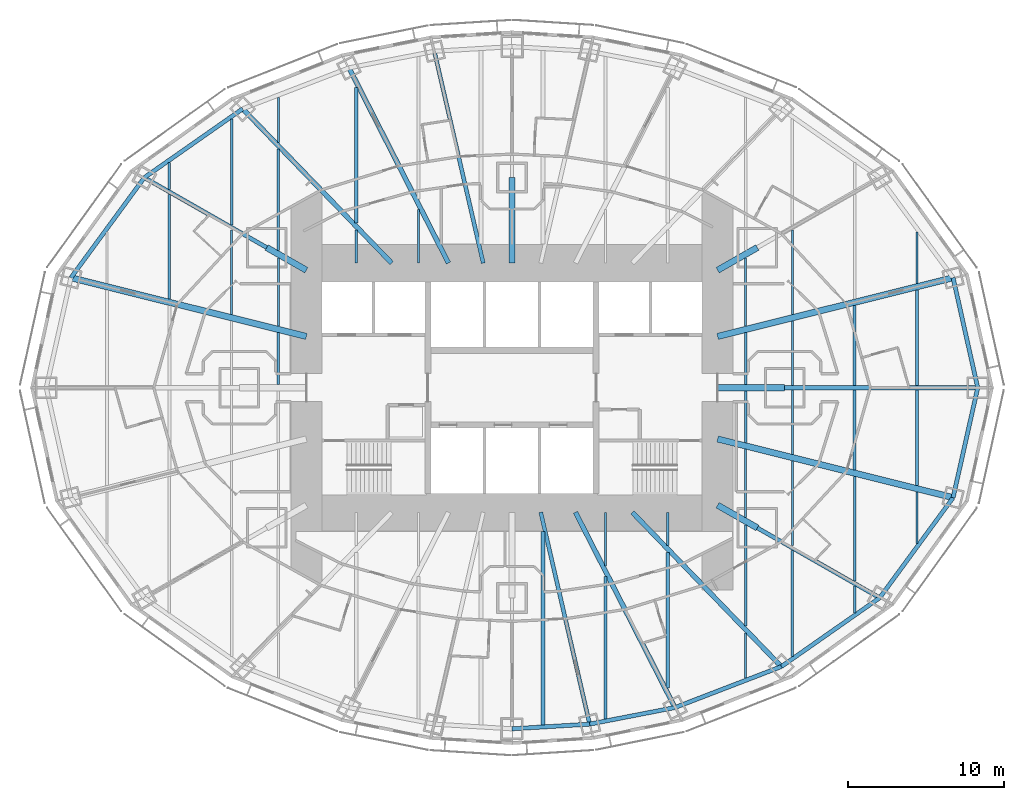
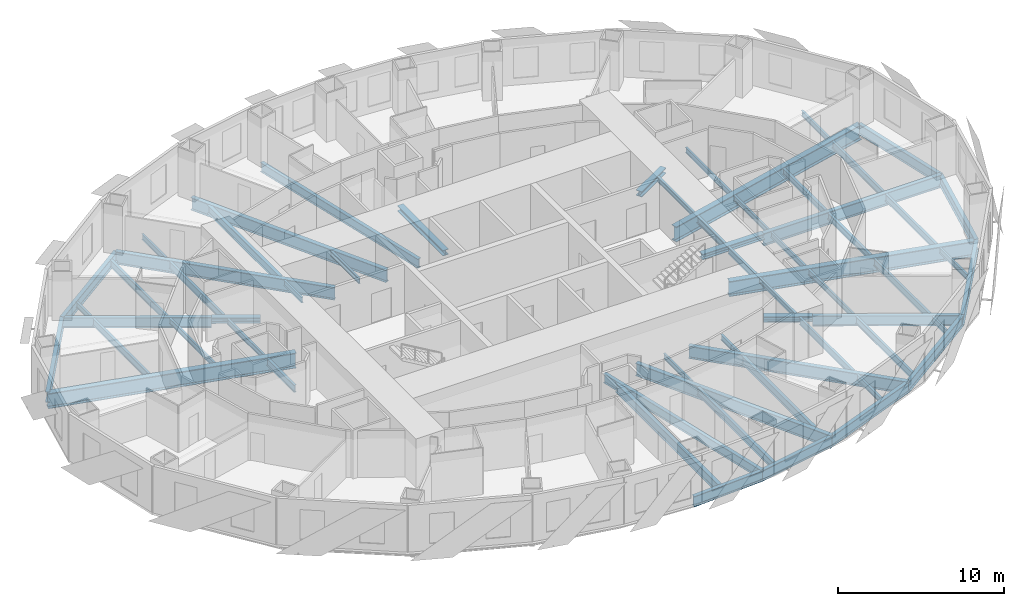
# One storey, part 2 of 15: 61 beams.
"""IFC4 building model written with IfcOpenShell, lengths in metres."""

from ifc_helpers import new_model, si_unit, direction, frame, origin, origin_2d, place, context, subcontext, project, spatial, i_section, extrude, material, material_profile, profile_set, type_object, element, save


model = new_model("IFC4")

# Units and contexts
model_context = context("Model", 3, precision=1e-05, world=origin(), true_north=direction((0.0, 1.0)))
body_context = subcontext(model_context, "Body", "Model", "MODEL_VIEW")
ifc_project = project(units=[si_unit("LENGTHUNIT", "METRE"), si_unit("AREAUNIT", "SQUARE_METRE"), si_unit("VOLUMEUNIT", "CUBIC_METRE"), si_unit("PLANEANGLEUNIT", "RADIAN"), si_unit("MASSUNIT", "GRAM", prefix="KILO")], contexts=[model_context])

# Site, building, storey
site_placement = place(None, origin())
site = spatial("IfcSite", under=ifc_project, at=site_placement, CompositionType="ELEMENT")
building_placement = place(site_placement, origin())
building = spatial("IfcBuilding", under=site, at=building_placement, Name="Lantaw Convention Tower", CompositionType="ELEMENT")
storey_placement = place(building_placement, frame((0.0, 0.0, 94.60009765625)))
storey = spatial("IfcBuildingStorey", under=building, at=storey_placement, Name="L22", CompositionType="ELEMENT", Elevation=94.60009765625)

# Beams
ifc_material = material(Name="Steel ASTM A992", Category="steel")
ifc_material_profile_1 = material_profile(ifc_material, i_section(OverallWidth=0.2666015625, OverallDepth=0.76953125, WebThickness=0.015625, FlangeThickness=0.025390625, FilletRadius=0.0126953125, at=origin_2d()), Name="W30X132")
ifc_profile_set_1 = profile_set([ifc_material_profile_1], Name="Steel ASTM A992")
beam_type_1 = type_object("IfcBeamType", Name="Beam E W30X132", PredefinedType="SPANDREL", material=ifc_profile_set_1)
beam_1_placement = place(storey_placement, frame((29.89990234375, 0.0, -0.534912109375), z_axis=(-0.218652184873, 0.975802860239, 0.0), x_axis=(-0.975802860239, -0.218652184873, 0.0)))
element("IfcBeam", 1, at=beam_1_placement, inside=storey, type_object=beam_type_1, Name="Edge beam 1", PredefinedType="SPANDREL", context=body_context, shape_type="SweptSolid", body=[
    extrude(i_section(OverallWidth=0.2666015625, OverallDepth=0.76953125, WebThickness=0.015625, FlangeThickness=0.025390625, FilletRadius=0.0126953125, at=origin_2d()), origin(), (0.0, 0.0, 1.0), 7.2353515625),
])
beam_2_placement = place(storey_placement, frame((-17.290771484375, 17.9052734375, -0.534912109375), z_axis=(-0.81942686407, -0.57318375277, 0.0), x_axis=(0.57318375277, -0.81942686407, 0.0)))
element("IfcBeam", 2, at=beam_2_placement, inside=storey, type_object=beam_type_1, Name="Edge beam 10", PredefinedType="SPANDREL", context=body_context, shape_type="SweptSolid", body=[
    extrude(i_section(OverallWidth=0.2666015625, OverallDepth=0.76953125, WebThickness=0.015625, FlangeThickness=0.025390625, FilletRadius=0.0126953125, at=origin_2d()), origin(), (0.0, 0.0, 1.0), 7.70556640625),
])
beam_3_placement = place(storey_placement, frame((-23.60498046875, 13.488525390625, -0.534912109375), z_axis=(-0.591270709086, -0.806473154281, 0.0), x_axis=(0.806473154281, -0.591270709086, 0.0)))
element("IfcBeam", 3, at=beam_3_placement, inside=storey, type_object=beam_type_1, Name="Edge beam 11", PredefinedType="SPANDREL", context=body_context, shape_type="SweptSolid", body=[
    extrude(i_section(OverallWidth=0.2666015625, OverallDepth=0.76953125, WebThickness=0.015625, FlangeThickness=0.025390625, FilletRadius=0.0126953125, at=origin_2d()), origin(), (0.0, 0.0, 1.0), 7.970703125),
])
beam_4_placement = place(storey_placement, frame((0.0, -21.89990234375, -0.534912109375), z_axis=(0.998173858406, 0.060406526096, 0.0), x_axis=(-0.060406526096, 0.998173858406, 0.0)))
element("IfcBeam", 4, at=beam_4_placement, inside=storey, type_object=beam_type_1, Name="Edge beam 19", PredefinedType="SPANDREL", context=body_context, shape_type="SweptSolid", body=[
    extrude(i_section(OverallWidth=0.2666015625, OverallDepth=0.76953125, WebThickness=0.015625, FlangeThickness=0.025390625, FilletRadius=0.0126953125, at=origin_2d()), origin(), (0.0, 0.0, 1.0), 4.995361328125),
])
beam_5_placement = place(storey_placement, frame((4.986328125, -21.59814453125, -0.534912109375), z_axis=(0.981636565323, 0.190760723474, 0.0), x_axis=(-0.190760723474, 0.981636565323, 0.0)))
element("IfcBeam", 5, at=beam_5_placement, inside=storey, type_object=beam_type_1, Name="Edge beam 20", PredefinedType="SPANDREL", context=body_context, shape_type="SweptSolid", body=[
    extrude(i_section(OverallWidth=0.2666015625, OverallDepth=0.76953125, WebThickness=0.015625, FlangeThickness=0.025390625, FilletRadius=0.0126953125, at=origin_2d()), origin(), (0.0, 0.0, 1.0), 5.578857421875),
])
beam_6_placement = place(storey_placement, frame((10.462646484375, -20.533935546875, -0.534912109375), z_axis=(0.933232900641, 0.359271976588, 0.0), x_axis=(-0.359271976588, 0.933232900641, 0.0)))
element("IfcBeam", 6, at=beam_6_placement, inside=storey, type_object=beam_type_1, Name="Edge beam 21", PredefinedType="SPANDREL", context=body_context, shape_type="SweptSolid", body=[
    extrude(i_section(OverallWidth=0.2666015625, OverallDepth=0.76953125, WebThickness=0.015625, FlangeThickness=0.025390625, FilletRadius=0.0126953125, at=origin_2d()), origin(), (0.0, 0.0, 1.0), 7.316650390625),
])
beam_7_placement = place(storey_placement, frame((17.290771484375, -17.9052734375, -0.534912109375), z_axis=(0.81942686407, 0.57318375277, 0.0), x_axis=(-0.57318375277, 0.81942686407, 0.0)))
element("IfcBeam", 7, at=beam_7_placement, inside=storey, type_object=beam_type_1, Name="Edge beam 22", PredefinedType="SPANDREL", context=body_context, shape_type="SweptSolid", body=[
    extrude(i_section(OverallWidth=0.2666015625, OverallDepth=0.76953125, WebThickness=0.015625, FlangeThickness=0.025390625, FilletRadius=0.0126953125, at=origin_2d()), origin(), (0.0, 0.0, 1.0), 7.70556640625),
])
beam_8_placement = place(storey_placement, frame((23.60498046875, -13.488525390625, -0.534912109375), z_axis=(0.591270709086, 0.806473154281, 0.0), x_axis=(-0.806473154281, 0.591270709086, 0.0)))
element("IfcBeam", 8, at=beam_8_placement, inside=storey, type_object=beam_type_1, Name="Edge beam 23", PredefinedType="SPANDREL", context=body_context, shape_type="SweptSolid", body=[
    extrude(i_section(OverallWidth=0.2666015625, OverallDepth=0.76953125, WebThickness=0.015625, FlangeThickness=0.025390625, FilletRadius=0.0126953125, at=origin_2d()), origin(), (0.0, 0.0, 1.0), 7.970703125),
])
beam_9_placement = place(storey_placement, frame((28.31787109375, -7.060302734375, -0.534912109375), z_axis=(0.218652184873, 0.975802860239, 0.0), x_axis=(-0.975802860239, 0.218652184873, 0.0)))
element("IfcBeam", 9, at=beam_9_placement, inside=storey, type_object=beam_type_1, Name="Edge beam 24", PredefinedType="SPANDREL", context=body_context, shape_type="SweptSolid", body=[
    extrude(i_section(OverallWidth=0.2666015625, OverallDepth=0.76953125, WebThickness=0.015625, FlangeThickness=0.025390625, FilletRadius=0.0126953125, at=origin_2d()), origin(), (0.0, 0.0, 1.0), 7.2353515625),
])
ifc_material_profile_2 = material_profile(ifc_material, i_section(OverallWidth=0.25390625, OverallDepth=0.683349609375, WebThickness=0.012451171875, FlangeThickness=0.01904296875, FilletRadius=0.01513671875, at=origin_2d()), Name="W27X94")
ifc_profile_set_2 = profile_set([ifc_material_profile_2], Name="Steel ASTM A992")
beam_type_2 = type_object("IfcBeamType", Name="Beam G W27X94", PredefinedType="BEAM", material=ifc_profile_set_2)
for number, where, z_axis, x_axis, name in (
    (10, (-1.846923828125, 8.0, -0.49169921875), (-0.224952773175, 0.97436966796, 0.0), (-0.97436966796, -0.224952773175, 0.0), "Floor girder on ray 8"),
    (11, (1.846923828125, -8.0, -0.49169921875), (0.224952773175, -0.97436966796, 0.0), (0.97436966796, 0.224952773175, 0.0), "Floor girder on ray 20"),
):
    element("IfcBeam", number, at=place(storey_placement, frame(where, z_axis=z_axis, x_axis=x_axis)), inside=storey, type_object=beam_type_2, Name=name, PredefinedType="BEAM", context=body_context, shape_type="SweptSolid", body=[
        extrude(i_section(OverallWidth=0.25390625, OverallDepth=0.683349609375, WebThickness=0.012451171875, FlangeThickness=0.01904296875, FilletRadius=0.01513671875, at=origin_2d()), origin(), (0.0, 0.0, 1.0), 13.955810546875),
    ])
ifc_material_profile_3 = material_profile(ifc_material, i_section(OverallWidth=0.2666015625, OverallDepth=0.7568359375, WebThickness=0.013916015625, FlangeThickness=0.019287109375, FilletRadius=0.0126953125, at=origin_2d()), Name="W30X108")
ifc_profile_set_3 = profile_set([ifc_material_profile_3], Name="Steel ASTM A992")
beam_type_3 = type_object("IfcBeamType", Name="Beam G W30X108", PredefinedType="BEAM", material=ifc_profile_set_3)
for number, where, z_axis, x_axis, name in (
    (12, (-15.75, 9.0, -0.528564453125), (-0.868244802791, 0.496136032179, 0.0), (-0.496136032179, -0.868244802791, 0.0), "Floor girder on ray 11"),
    (13, (15.75, -9.0, -0.528564453125), (0.868244802791, -0.496136032179, 0.0), (0.496136032179, 0.868244802791, 0.0), "Floor girder on ray 23"),
):
    element("IfcBeam", number, at=place(storey_placement, frame(where, z_axis=z_axis, x_axis=x_axis)), inside=storey, type_object=beam_type_3, Name=name, PredefinedType="BEAM", context=body_context, shape_type="SweptSolid", body=[
        extrude(i_section(OverallWidth=0.2666015625, OverallDepth=0.7568359375, WebThickness=0.013916015625, FlangeThickness=0.019287109375, FilletRadius=0.0126953125, at=origin_2d()), origin(), (0.0, 0.0, 1.0), 9.046875),
    ])
ifc_material_profile_4 = material_profile(ifc_material, i_section(OverallWidth=0.307373046875, OverallDepth=0.922119140625, WebThickness=0.018310546875, FlangeThickness=0.030029296875, FilletRadius=0.0126953125, at=origin_2d()), Name="W36X182")
ifc_profile_set_4 = profile_set([ifc_material_profile_4], Name="Steel ASTM A992")
beam_type_4 = type_object("IfcBeamType", Name="Beam G W36X182", PredefinedType="BEAM", material=ifc_profile_set_4)
beam_10_placement = place(storey_placement, frame((17.5, 0.0, -0.611083984375), z_axis=(1.0, 0.0, 0.0), x_axis=(0.0, 1.0, 0.0)))
element("IfcBeam", 14, at=beam_10_placement, inside=storey, type_object=beam_type_4, Name="Floor girder on ray 1", PredefinedType="BEAM", context=body_context, shape_type="SweptSolid", body=[
    extrude(i_section(OverallWidth=0.307373046875, OverallDepth=0.922119140625, WebThickness=0.018310546875, FlangeThickness=0.030029296875, FilletRadius=0.0126953125, at=origin_2d()), origin(), (0.0, 0.0, 1.0), 12.39990234375),
])
beam_11_placement = place(storey_placement, frame((-4.076171875, 8.0, -0.611083984375), z_axis=(-0.453997016122, 0.891003203896, 0.0), x_axis=(-0.891003203896, -0.453997016122, 0.0)))
element("IfcBeam", 15, at=beam_11_placement, inside=storey, type_object=beam_type_4, Name="Floor girder on ray 9", PredefinedType="BEAM", context=body_context, shape_type="SweptSolid", body=[
    extrude(i_section(OverallWidth=0.307373046875, OverallDepth=0.922119140625, WebThickness=0.018310546875, FlangeThickness=0.030029296875, FilletRadius=0.0126953125, at=origin_2d()), origin(), (0.0, 0.0, 1.0), 14.067138671875),
])
beam_12_placement = place(storey_placement, frame((-7.7255859375, 8.0, -0.611083984375), z_axis=(-0.694649884291, 0.719347995239, 0.0), x_axis=(-0.719347995239, -0.694649884291, 0.0)))
element("IfcBeam", 16, at=beam_12_placement, inside=storey, type_object=beam_type_4, Name="Floor girder on ray 10", PredefinedType="BEAM", context=body_context, shape_type="SweptSolid", body=[
    extrude(i_section(OverallWidth=0.307373046875, OverallDepth=0.922119140625, WebThickness=0.018310546875, FlangeThickness=0.030029296875, FilletRadius=0.0126953125, at=origin_2d()), origin(), (0.0, 0.0, 1.0), 13.769775390625),
])
beam_13_placement = place(storey_placement, frame((4.076171875, -8.0, -0.611083984375), z_axis=(0.453997016122, -0.891003203896, 0.0), x_axis=(0.891003203896, 0.453997016122, 0.0)))
element("IfcBeam", 17, at=beam_13_placement, inside=storey, type_object=beam_type_4, Name="Floor girder on ray 21", PredefinedType="BEAM", context=body_context, shape_type="SweptSolid", body=[
    extrude(i_section(OverallWidth=0.307373046875, OverallDepth=0.922119140625, WebThickness=0.018310546875, FlangeThickness=0.030029296875, FilletRadius=0.0126953125, at=origin_2d()), origin(), (0.0, 0.0, 1.0), 14.067138671875),
])
beam_14_placement = place(storey_placement, frame((7.7255859375, -8.0, -0.611083984375), z_axis=(0.694649884291, -0.719347995239, 0.0), x_axis=(0.719347995239, 0.694649884291, 0.0)))
element("IfcBeam", 18, at=beam_14_placement, inside=storey, type_object=beam_type_4, Name="Floor girder on ray 22", PredefinedType="BEAM", context=body_context, shape_type="SweptSolid", body=[
    extrude(i_section(OverallWidth=0.307373046875, OverallDepth=0.922119140625, WebThickness=0.018310546875, FlangeThickness=0.030029296875, FilletRadius=0.0126953125, at=origin_2d()), origin(), (0.0, 0.0, 1.0), 13.769775390625),
])
ifc_material_profile_5 = material_profile(ifc_material, i_section(OverallWidth=0.40380859375, OverallDepth=1.11767578125, WebThickness=0.026123046875, FlangeThickness=0.044921875, FilletRadius=0.02001953125, at=origin_2d()), Name="W44X335")
ifc_profile_set_5 = profile_set([ifc_material_profile_5], Name="Steel ASTM A992")
beam_type_5 = type_object("IfcBeamType", Name="Beam G W44X335", PredefinedType="BEAM", material=ifc_profile_set_5)
for number, where, z_axis, x_axis, name in (
    (19, (13.199951171875, 3.291015625, -0.708984375), (0.970296233567, 0.241919860957, 0.0), (-0.241919860957, 0.970296233567, 0.0), "Floor girder on ray 2"),
    (20, (-13.199951171875, 3.291015625, -0.708984375), (-0.970296233567, 0.241919860957, 0.0), (-0.241919860957, -0.970296233567, 0.0), "Floor girder on ray 12"),
    (21, (13.199951171875, -3.291015625, -0.708984375), (0.970296233567, -0.241919860957, 0.0), (0.241919860957, 0.970296233567, 0.0), "Floor girder on ray 24"),
):
    element("IfcBeam", number, at=place(storey_placement, frame(where, z_axis=z_axis, x_axis=x_axis)), inside=storey, type_object=beam_type_5, Name=name, PredefinedType="BEAM", context=body_context, shape_type="SweptSolid", body=[
        extrude(i_section(OverallWidth=0.40380859375, OverallDepth=1.11767578125, WebThickness=0.026123046875, FlangeThickness=0.044921875, FilletRadius=0.02001953125, at=origin_2d()), origin(), (0.0, 0.0, 1.0), 15.580810546875),
    ])
ifc_material_profile_6 = material_profile(ifc_material, i_section(OverallWidth=0.40380859375, OverallDepth=0.406494140625, WebThickness=0.027099609375, FlangeThickness=0.043701171875, FilletRadius=0.01513671875, at=origin_2d()), Name="W14X233")
ifc_profile_set_6 = profile_set([ifc_material_profile_6], Name="Steel ASTM A992")
beam_type_6 = type_object("IfcBeamType", Name="Beam GM W14X233", PredefinedType="BEAM", material=ifc_profile_set_6)
beam_15_placement = place(storey_placement, frame((13.199951171875, 0.0, -0.353271484375), z_axis=(1.0, 0.0, 0.0), x_axis=(0.0, 1.0, 0.0)))
element("IfcBeam", 22, at=beam_15_placement, inside=storey, type_object=beam_type_6, Name="Core link beam on ray 1", PredefinedType="BEAM", context=body_context, shape_type="SweptSolid", body=[
    extrude(i_section(OverallWidth=0.40380859375, OverallDepth=0.406494140625, WebThickness=0.027099609375, FlangeThickness=0.043701171875, FilletRadius=0.01513671875, at=origin_2d()), origin(), (0.0, 0.0, 1.0), 4.300048828125),
])
beam_16_placement = place(storey_placement, frame((13.199951171875, 7.54296875, -0.353271484375), z_axis=(0.868263603466, 0.496103129295, 0.0), x_axis=(-0.496103129295, 0.868263603466, 0.0)))
element("IfcBeam", 23, at=beam_16_placement, inside=storey, type_object=beam_type_6, Name="Core link beam on ray 3", PredefinedType="BEAM", context=body_context, shape_type="SweptSolid", body=[
    extrude(i_section(OverallWidth=0.40380859375, OverallDepth=0.406494140625, WebThickness=0.027099609375, FlangeThickness=0.043701171875, FilletRadius=0.01513671875, at=origin_2d()), origin(), (0.0, 0.0, 1.0), 2.93701171875),
])
beam_17_placement = place(storey_placement, frame((0.0, 8.0, -0.353271484375), z_axis=(0.0, 1.0, 0.0), x_axis=(-1.0, 0.0, 0.0)))
element("IfcBeam", 24, at=beam_17_placement, inside=storey, type_object=beam_type_6, Name="Core link beam on ray 7", PredefinedType="BEAM", context=body_context, shape_type="SweptSolid", body=[
    extrude(i_section(OverallWidth=0.40380859375, OverallDepth=0.406494140625, WebThickness=0.027099609375, FlangeThickness=0.043701171875, FilletRadius=0.01513671875, at=origin_2d()), origin(), (0.0, 0.0, 1.0), 5.5),
])
for number, where, z_axis, x_axis, name in (
    (25, (-13.199951171875, 7.54296875, -0.353271484375), (-0.868263603466, 0.496103129295, 0.0), (-0.496103129295, -0.868263603466, 0.0), "Core link beam on ray 11"),
    (26, (13.199951171875, -7.54296875, -0.353271484375), (0.868263603466, -0.496103129295, 0.0), (0.496103129295, 0.868263603466, 0.0), "Core link beam on ray 23"),
):
    element("IfcBeam", number, at=place(storey_placement, frame(where, z_axis=z_axis, x_axis=x_axis)), inside=storey, type_object=beam_type_6, Name=name, PredefinedType="BEAM", context=body_context, shape_type="SweptSolid", body=[
        extrude(i_section(OverallWidth=0.40380859375, OverallDepth=0.406494140625, WebThickness=0.027099609375, FlangeThickness=0.043701171875, FilletRadius=0.01513671875, at=origin_2d()), origin(), (0.0, 0.0, 1.0), 2.93701171875),
    ])
ifc_material_profile_7 = material_profile(ifc_material, i_section(OverallWidth=0.140380859375, OverallDepth=0.40380859375, WebThickness=0.007080078125, FlangeThickness=0.01123046875, FilletRadius=0.01025390625, at=origin_2d()), Name="W16X31")
ifc_profile_set_7 = profile_set([ifc_material_profile_7], Name="Steel ASTM A992")
beam_type_7 = type_object("IfcBeamType", Name="Beam J W16X31", PredefinedType="JOIST", material=ifc_profile_set_7)
beam_18_placement = place(storey_placement, frame((-22.0, 12.72509765625, -0.35205078125), z_axis=(0.0, 1.0, 0.0), x_axis=(-1.0, 0.0, 0.0)))
element("IfcBeam", 27, at=beam_18_placement, inside=storey, type_object=beam_type_7, Name="Floor joist", PredefinedType="JOIST", context=body_context, shape_type="SweptSolid", body=[
    extrude(i_section(OverallWidth=0.140380859375, OverallDepth=0.40380859375, WebThickness=0.007080078125, FlangeThickness=0.01123046875, FilletRadius=0.01025390625, at=origin_2d()), origin(), (0.0, 0.0, 1.0), 1.723388671875),
])
beam_19_placement = place(storey_placement, frame((-18.0, 4.696044921875, -0.35205078125), z_axis=(0.0, 1.0, 0.0), x_axis=(-1.0, 0.0, 0.0)))
element("IfcBeam", 28, at=beam_19_placement, inside=storey, type_object=beam_type_7, Name="Floor joist", PredefinedType="JOIST", context=body_context, shape_type="SweptSolid", body=[
    extrude(i_section(OverallWidth=0.140380859375, OverallDepth=0.40380859375, WebThickness=0.007080078125, FlangeThickness=0.01123046875, FilletRadius=0.01025390625, at=origin_2d()), origin(), (0.0, 0.0, 1.0), 5.43603515625),
])
beam_20_placement = place(storey_placement, frame((-15.0, 3.947998046875, -0.35205078125), z_axis=(0.0, 1.0, 0.0), x_axis=(-1.0, 0.0, 0.0)))
element("IfcBeam", 29, at=beam_20_placement, inside=storey, type_object=beam_type_7, Name="Floor joist", PredefinedType="JOIST", context=body_context, shape_type="SweptSolid", body=[
    extrude(i_section(OverallWidth=0.140380859375, OverallDepth=0.40380859375, WebThickness=0.007080078125, FlangeThickness=0.01123046875, FilletRadius=0.01025390625, at=origin_2d()), origin(), (0.0, 0.0, 1.0), 4.390869140625),
])
beam_21_placement = place(storey_placement, frame((-15.0, 15.754150390625, -0.35205078125), z_axis=(0.0, 1.0, 0.0), x_axis=(-1.0, 0.0, 0.0)))
element("IfcBeam", 30, at=beam_21_placement, inside=storey, type_object=beam_type_7, Name="Floor joist", PredefinedType="JOIST", context=body_context, shape_type="SweptSolid", body=[
    extrude(i_section(OverallWidth=0.140380859375, OverallDepth=0.40380859375, WebThickness=0.007080078125, FlangeThickness=0.01123046875, FilletRadius=0.01025390625, at=origin_2d()), origin(), (0.0, 0.0, 1.0), 2.89013671875),
])
beam_22_placement = place(storey_placement, frame((-10.0, 8.0, -0.35205078125), z_axis=(0.0, 1.0, 0.0), x_axis=(-1.0, 0.0, 0.0)))
element("IfcBeam", 31, at=beam_22_placement, inside=storey, type_object=beam_type_7, Name="Floor joist", PredefinedType="JOIST", context=body_context, shape_type="SweptSolid", body=[
    extrude(i_section(OverallWidth=0.140380859375, OverallDepth=0.40380859375, WebThickness=0.007080078125, FlangeThickness=0.01123046875, FilletRadius=0.01025390625, at=origin_2d()), origin(), (0.0, 0.0, 1.0), 2.134033203125),
])
for number, where, z_axis, x_axis, name in (
    (32, (-6.0, 8.0, -0.35205078125), (0.0, 1.0, 0.0), (-1.0, 0.0, 0.0), "Floor joist"),
    (33, (6.0, -11.437255859375, -0.35205078125), (0.0, 1.0, 0.0), (-1.0, 0.0, 0.0), "Floor joist"),
):
    element("IfcBeam", number, at=place(storey_placement, frame(where, z_axis=z_axis, x_axis=x_axis)), inside=storey, type_object=beam_type_7, Name=name, PredefinedType="JOIST", context=body_context, shape_type="SweptSolid", body=[
        extrude(i_section(OverallWidth=0.140380859375, OverallDepth=0.40380859375, WebThickness=0.007080078125, FlangeThickness=0.01123046875, FilletRadius=0.01025390625, at=origin_2d()), origin(), (0.0, 0.0, 1.0), 3.437255859375),
    ])
beam_23_placement = place(storey_placement, frame((10.0, -10.134033203125, -0.35205078125), z_axis=(0.0, 1.0, 0.0), x_axis=(-1.0, 0.0, 0.0)))
element("IfcBeam", 34, at=beam_23_placement, inside=storey, type_object=beam_type_7, Name="Floor joist", PredefinedType="JOIST", context=body_context, shape_type="SweptSolid", body=[
    extrude(i_section(OverallWidth=0.140380859375, OverallDepth=0.40380859375, WebThickness=0.007080078125, FlangeThickness=0.01123046875, FilletRadius=0.01025390625, at=origin_2d()), origin(), (0.0, 0.0, 1.0), 2.134033203125),
])
beam_24_placement = place(storey_placement, frame((15.0, -18.644287109375, -0.35205078125), z_axis=(0.0, 1.0, 0.0), x_axis=(-1.0, 0.0, 0.0)))
element("IfcBeam", 35, at=beam_24_placement, inside=storey, type_object=beam_type_7, Name="Floor joist", PredefinedType="JOIST", context=body_context, shape_type="SweptSolid", body=[
    extrude(i_section(OverallWidth=0.140380859375, OverallDepth=0.40380859375, WebThickness=0.007080078125, FlangeThickness=0.01123046875, FilletRadius=0.01025390625, at=origin_2d()), origin(), (0.0, 0.0, 1.0), 2.89013671875),
])
for number, where, z_axis, x_axis, name in (
    (36, (15.0, -8.3388671875, -0.35205078125), (0.0, 1.0, 0.0), (-1.0, 0.0, 0.0), "Floor joist"),
    (37, (15.0, 3.947998046875, -0.35205078125), (0.0, 1.0, 0.0), (-1.0, 0.0, 0.0), "Floor joist"),
):
    element("IfcBeam", number, at=place(storey_placement, frame(where, z_axis=z_axis, x_axis=x_axis)), inside=storey, type_object=beam_type_7, Name=name, PredefinedType="JOIST", context=body_context, shape_type="SweptSolid", body=[
        extrude(i_section(OverallWidth=0.140380859375, OverallDepth=0.40380859375, WebThickness=0.007080078125, FlangeThickness=0.01123046875, FilletRadius=0.01025390625, at=origin_2d()), origin(), (0.0, 0.0, 1.0), 4.390869140625),
    ])
beam_25_placement = place(storey_placement, frame((18.0, -10.132080078125, -0.35205078125), z_axis=(0.0, 1.0, 0.0), x_axis=(-1.0, 0.0, 0.0)))
element("IfcBeam", 38, at=beam_25_placement, inside=storey, type_object=beam_type_7, Name="Floor joist", PredefinedType="JOIST", context=body_context, shape_type="SweptSolid", body=[
    extrude(i_section(OverallWidth=0.140380859375, OverallDepth=0.40380859375, WebThickness=0.007080078125, FlangeThickness=0.01123046875, FilletRadius=0.01025390625, at=origin_2d()), origin(), (0.0, 0.0, 1.0), 5.43603515625),
])
for number, where, z_axis, x_axis, name in (
    (39, (18.0, -4.27978515625, -0.35205078125), (0.0, 1.0, 0.0), (-1.0, 0.0, 0.0), "Floor joist"),
    (40, (18.0, 0.153564453125, -0.35205078125), (0.0, 1.0, 0.0), (-1.0, 0.0, 0.0), "Floor joist"),
):
    element("IfcBeam", number, at=place(storey_placement, frame(where, z_axis=z_axis, x_axis=x_axis)), inside=storey, type_object=beam_type_7, Name=name, PredefinedType="JOIST", context=body_context, shape_type="SweptSolid", body=[
        extrude(i_section(OverallWidth=0.140380859375, OverallDepth=0.40380859375, WebThickness=0.007080078125, FlangeThickness=0.01123046875, FilletRadius=0.01025390625, at=origin_2d()), origin(), (0.0, 0.0, 1.0), 4.126220703125),
    ])
beam_26_placement = place(storey_placement, frame((18.0, 4.696044921875, -0.35205078125), z_axis=(0.0, 1.0, 0.0), x_axis=(-1.0, 0.0, 0.0)))
element("IfcBeam", 41, at=beam_26_placement, inside=storey, type_object=beam_type_7, Name="Floor joist", PredefinedType="JOIST", context=body_context, shape_type="SweptSolid", body=[
    extrude(i_section(OverallWidth=0.140380859375, OverallDepth=0.40380859375, WebThickness=0.007080078125, FlangeThickness=0.01123046875, FilletRadius=0.01025390625, at=origin_2d()), origin(), (0.0, 0.0, 1.0), 5.43603515625),
])
beam_27_placement = place(storey_placement, frame((22.0, -14.448486328125, -0.35205078125), z_axis=(0.0, 1.0, 0.0), x_axis=(-1.0, 0.0, 0.0)))
element("IfcBeam", 42, at=beam_27_placement, inside=storey, type_object=beam_type_7, Name="Floor joist", PredefinedType="JOIST", context=body_context, shape_type="SweptSolid", body=[
    extrude(i_section(OverallWidth=0.140380859375, OverallDepth=0.40380859375, WebThickness=0.007080078125, FlangeThickness=0.01123046875, FilletRadius=0.01025390625, at=origin_2d()), origin(), (0.0, 0.0, 1.0), 1.723388671875),
])
for number, where, z_axis, x_axis, name in (
    (43, (26.0, -9.996337890625, -0.35205078125), (0.0, 1.0, 0.0), (-1.0, 0.0, 0.0), "Floor joist"),
    (44, (26.0, 6.690673828125, -0.35205078125), (0.0, 1.0, 0.0), (-1.0, 0.0, 0.0), "Floor joist"),
):
    element("IfcBeam", number, at=place(storey_placement, frame(where, z_axis=z_axis, x_axis=x_axis)), inside=storey, type_object=beam_type_7, Name=name, PredefinedType="JOIST", context=body_context, shape_type="SweptSolid", body=[
        extrude(i_section(OverallWidth=0.140380859375, OverallDepth=0.40380859375, WebThickness=0.007080078125, FlangeThickness=0.01123046875, FilletRadius=0.01025390625, at=origin_2d()), origin(), (0.0, 0.0, 1.0), 3.3056640625),
    ])
ifc_material_profile_8 = material_profile(ifc_material, i_section(OverallWidth=0.1904296875, OverallDepth=0.457275390625, WebThickness=0.009033203125, FlangeThickness=0.014404296875, FilletRadius=0.01025390625, at=origin_2d()), Name="W18X50")
ifc_profile_set_8 = profile_set([ifc_material_profile_8], Name="Steel ASTM A992")
beam_type_8 = type_object("IfcBeamType", Name="Beam J W18X50", PredefinedType="JOIST", material=ifc_profile_set_8)
for number, where, z_axis, x_axis, name in (
    (45, (22.0, -5.277099609375, -0.378662109375), (0.0, 1.0, 0.0), (-1.0, 0.0, 0.0), "Floor joist"),
    (46, (22.0, 0.153564453125, -0.378662109375), (0.0, 1.0, 0.0), (-1.0, 0.0, 0.0), "Floor joist"),
):
    element("IfcBeam", number, at=place(storey_placement, frame(where, z_axis=z_axis, x_axis=x_axis)), inside=storey, type_object=beam_type_8, Name=name, PredefinedType="JOIST", context=body_context, shape_type="SweptSolid", body=[
        extrude(i_section(OverallWidth=0.1904296875, OverallDepth=0.457275390625, WebThickness=0.009033203125, FlangeThickness=0.014404296875, FilletRadius=0.01025390625, at=origin_2d()), origin(), (0.0, 0.0, 1.0), 5.12353515625),
    ])
ifc_material_profile_9 = material_profile(ifc_material, i_section(OverallWidth=0.1650390625, OverallDepth=0.52587890625, WebThickness=0.0087890625, FlangeThickness=0.011474609375, FilletRadius=0.0126953125, at=origin_2d()), Name="W21X44")
ifc_profile_set_9 = profile_set([ifc_material_profile_9], Name="Steel ASTM A992")
beam_type_9 = type_object("IfcBeamType", Name="Beam J W21X44", PredefinedType="JOIST", material=ifc_profile_set_9)
beam_28_placement = place(storey_placement, frame((-22.0, 5.693359375, -0.4130859375), z_axis=(0.0, 1.0, 0.0), x_axis=(-1.0, 0.0, 0.0)))
element("IfcBeam", 47, at=beam_28_placement, inside=storey, type_object=beam_type_9, Name="Floor joist", PredefinedType="JOIST", context=body_context, shape_type="SweptSolid", body=[
    extrude(i_section(OverallWidth=0.1650390625, OverallDepth=0.52587890625, WebThickness=0.0087890625, FlangeThickness=0.011474609375, FilletRadius=0.0126953125, at=origin_2d()), origin(), (0.0, 0.0, 1.0), 6.724609375),
])
beam_29_placement = place(storey_placement, frame((-18.0, 10.439208984375, -0.4130859375), z_axis=(0.0, 1.0, 0.0), x_axis=(-1.0, 0.0, 0.0)))
element("IfcBeam", 48, at=beam_29_placement, inside=storey, type_object=beam_type_9, Name="Floor joist", PredefinedType="JOIST", context=body_context, shape_type="SweptSolid", body=[
    extrude(i_section(OverallWidth=0.1650390625, OverallDepth=0.52587890625, WebThickness=0.0087890625, FlangeThickness=0.011474609375, FilletRadius=0.0126953125, at=origin_2d()), origin(), (0.0, 0.0, 1.0), 6.80712890625),
])
for number, where, z_axis, x_axis, name in (
    (49, (-15.0, 8.803955078125, -0.4130859375), (0.0, 1.0, 0.0), (-1.0, 0.0, 0.0), "Floor joist"),
    (50, (15.0, -15.311767578125, -0.4130859375), (0.0, 1.0, 0.0), (-1.0, 0.0, 0.0), "Floor joist"),
):
    element("IfcBeam", number, at=place(storey_placement, frame(where, z_axis=z_axis, x_axis=x_axis)), inside=storey, type_object=beam_type_9, Name=name, PredefinedType="JOIST", context=body_context, shape_type="SweptSolid", body=[
        extrude(i_section(OverallWidth=0.1650390625, OverallDepth=0.52587890625, WebThickness=0.0087890625, FlangeThickness=0.011474609375, FilletRadius=0.0126953125, at=origin_2d()), origin(), (0.0, 0.0, 1.0), 6.5078125),
    ])
beam_30_placement = place(storey_placement, frame((18.0, -17.246337890625, -0.4130859375), z_axis=(0.0, 1.0, 0.0), x_axis=(-1.0, 0.0, 0.0)))
element("IfcBeam", 51, at=beam_30_placement, inside=storey, type_object=beam_type_9, Name="Floor joist", PredefinedType="JOIST", context=body_context, shape_type="SweptSolid", body=[
    extrude(i_section(OverallWidth=0.1650390625, OverallDepth=0.52587890625, WebThickness=0.0087890625, FlangeThickness=0.011474609375, FilletRadius=0.0126953125, at=origin_2d()), origin(), (0.0, 0.0, 1.0), 6.80712890625),
])
beam_31_placement = place(storey_placement, frame((22.0, -12.41796875, -0.4130859375), z_axis=(0.0, 1.0, 0.0), x_axis=(-1.0, 0.0, 0.0)))
element("IfcBeam", 52, at=beam_31_placement, inside=storey, type_object=beam_type_9, Name="Floor joist", PredefinedType="JOIST", context=body_context, shape_type="SweptSolid", body=[
    extrude(i_section(OverallWidth=0.1650390625, OverallDepth=0.52587890625, WebThickness=0.0087890625, FlangeThickness=0.011474609375, FilletRadius=0.0126953125, at=origin_2d()), origin(), (0.0, 0.0, 1.0), 6.724609375),
])
ifc_material_profile_10 = material_profile(ifc_material, i_section(OverallWidth=0.165771484375, OverallDepth=0.5283203125, WebThickness=0.009765625, FlangeThickness=0.013671875, FilletRadius=0.012939453125, at=origin_2d()), Name="W21X50")
ifc_profile_set_10 = profile_set([ifc_material_profile_10], Name="Steel ASTM A992")
beam_type_10 = type_object("IfcBeamType", Name="Beam J W21X50", PredefinedType="JOIST", material=ifc_profile_set_10)
for number, where, z_axis, x_axis, name in (
    (53, (-15.0, 0.201904296875, -0.414306640625), (0.0, 1.0, 0.0), (-1.0, 0.0, 0.0), "Floor joist"),
    (54, (15.0, -3.53173828125, -0.414306640625), (0.0, 1.0, 0.0), (-1.0, 0.0, 0.0), "Floor joist"),
    (55, (15.0, 0.201904296875, -0.414306640625), (0.0, 1.0, 0.0), (-1.0, 0.0, 0.0), "Floor joist"),
):
    element("IfcBeam", number, at=place(storey_placement, frame(where, z_axis=z_axis, x_axis=x_axis)), inside=storey, type_object=beam_type_10, Name=name, PredefinedType="JOIST", context=body_context, shape_type="SweptSolid", body=[
        extrude(i_section(OverallWidth=0.165771484375, OverallDepth=0.5283203125, WebThickness=0.009765625, FlangeThickness=0.013671875, FilletRadius=0.012939453125, at=origin_2d()), origin(), (0.0, 0.0, 1.0), 3.329833984375),
    ])
for number, where, z_axis, x_axis, name in (
    (56, (26.0, -6.2744140625, -0.414306640625), (0.0, 1.0, 0.0), (-1.0, 0.0, 0.0), "Floor joist"),
    (57, (26.0, 0.153564453125, -0.414306640625), (0.0, 1.0, 0.0), (-1.0, 0.0, 0.0), "Floor joist"),
):
    element("IfcBeam", number, at=place(storey_placement, frame(where, z_axis=z_axis, x_axis=x_axis)), inside=storey, type_object=beam_type_10, Name=name, PredefinedType="JOIST", context=body_context, shape_type="SweptSolid", body=[
        extrude(i_section(OverallWidth=0.165771484375, OverallDepth=0.5283203125, WebThickness=0.009765625, FlangeThickness=0.013671875, FilletRadius=0.012939453125, at=origin_2d()), origin(), (0.0, 0.0, 1.0), 6.120849609375),
    ])
ifc_material_profile_11 = material_profile(ifc_material, i_section(OverallWidth=0.2099609375, OverallDepth=0.535888671875, WebThickness=0.010986328125, FlangeThickness=0.017333984375, FilletRadius=0.012939453125, at=origin_2d()), Name="W21X68")
ifc_profile_set_11 = profile_set([ifc_material_profile_11], Name="Steel ASTM A992")
beam_type_11 = type_object("IfcBeamType", Name="Beam J W21X68", PredefinedType="JOIST", material=ifc_profile_set_11)
beam_32_placement = place(storey_placement, frame((6.0, -21.26513671875, -0.41796875), z_axis=(0.0, 1.0, 0.0), x_axis=(-1.0, 0.0, 0.0)))
element("IfcBeam", 58, at=beam_32_placement, inside=storey, type_object=beam_type_11, Name="Floor joist", PredefinedType="JOIST", context=body_context, shape_type="SweptSolid", body=[
    extrude(i_section(OverallWidth=0.2099609375, OverallDepth=0.535888671875, WebThickness=0.010986328125, FlangeThickness=0.017333984375, FilletRadius=0.012939453125, at=origin_2d()), origin(), (0.0, 0.0, 1.0), 9.15087890625),
])
ifc_material_profile_12 = material_profile(ifc_material, i_section(OverallWidth=0.227783203125, OverallDepth=0.60205078125, WebThickness=0.010498046875, FlangeThickness=0.014892578125, FilletRadius=0.012939453125, at=origin_2d()), Name="W24X68")
ifc_profile_set_12 = profile_set([ifc_material_profile_12], Name="Steel ASTM A992")
beam_type_12 = type_object("IfcBeamType", Name="Beam J W24X68", PredefinedType="JOIST", material=ifc_profile_set_12)
for number, where, z_axis, x_axis, name in (
    (59, (-10.0, 10.576416015625, -0.451171875), (0.0, 1.0, 0.0), (-1.0, 0.0, 0.0), "Floor joist"),
    (60, (10.0, -19.28759765625, -0.451171875), (0.0, 1.0, 0.0), (-1.0, 0.0, 0.0), "Floor joist"),
):
    element("IfcBeam", number, at=place(storey_placement, frame(where, z_axis=z_axis, x_axis=x_axis)), inside=storey, type_object=beam_type_12, Name=name, PredefinedType="JOIST", context=body_context, shape_type="SweptSolid", body=[
        extrude(i_section(OverallWidth=0.227783203125, OverallDepth=0.60205078125, WebThickness=0.010498046875, FlangeThickness=0.014892578125, FilletRadius=0.012939453125, at=origin_2d()), origin(), (0.0, 0.0, 1.0), 8.711181640625),
    ])
ifc_material_profile_13 = material_profile(ifc_material, i_section(OverallWidth=0.25390625, OverallDepth=0.700927734375, WebThickness=0.015380859375, FlangeThickness=0.02783203125, FilletRadius=0.01513671875, at=origin_2d()), Name="W27X129")
ifc_profile_set_13 = profile_set([ifc_material_profile_13], Name="Steel ASTM A992")
beam_type_13 = type_object("IfcBeamType", Name="Beam J W27X129", PredefinedType="JOIST", material=ifc_profile_set_13)
beam_33_placement = place(storey_placement, frame((2.0, -21.645263671875, -0.500732421875), z_axis=(0.0, 1.0, 0.0), x_axis=(-1.0, 0.0, 0.0)))
element("IfcBeam", 61, at=beam_33_placement, inside=storey, type_object=beam_type_13, Name="Floor joist", PredefinedType="JOIST", context=body_context, shape_type="SweptSolid", body=[
    extrude(i_section(OverallWidth=0.25390625, OverallDepth=0.700927734375, WebThickness=0.015380859375, FlangeThickness=0.02783203125, FilletRadius=0.01513671875, at=origin_2d()), origin(), (0.0, 0.0, 1.0), 12.417724609375),
])

save(model, "model.ifc")
